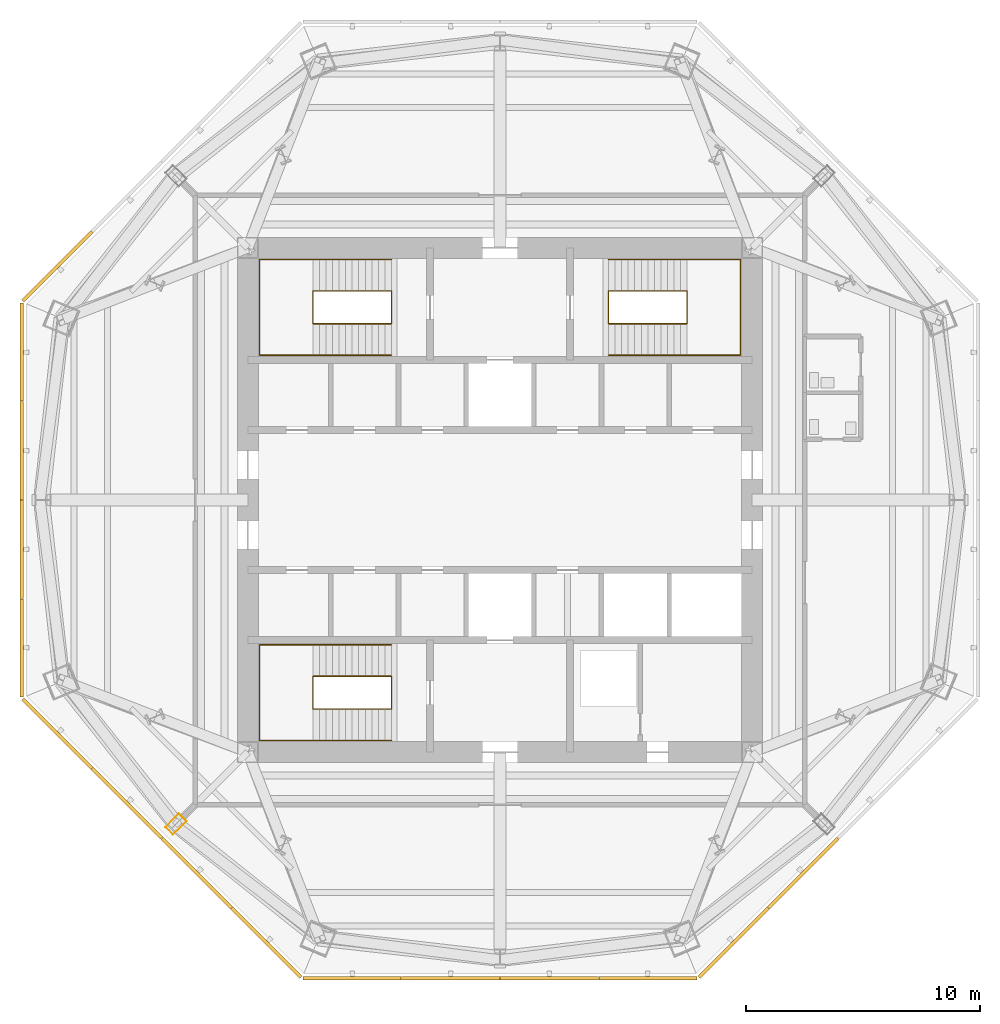
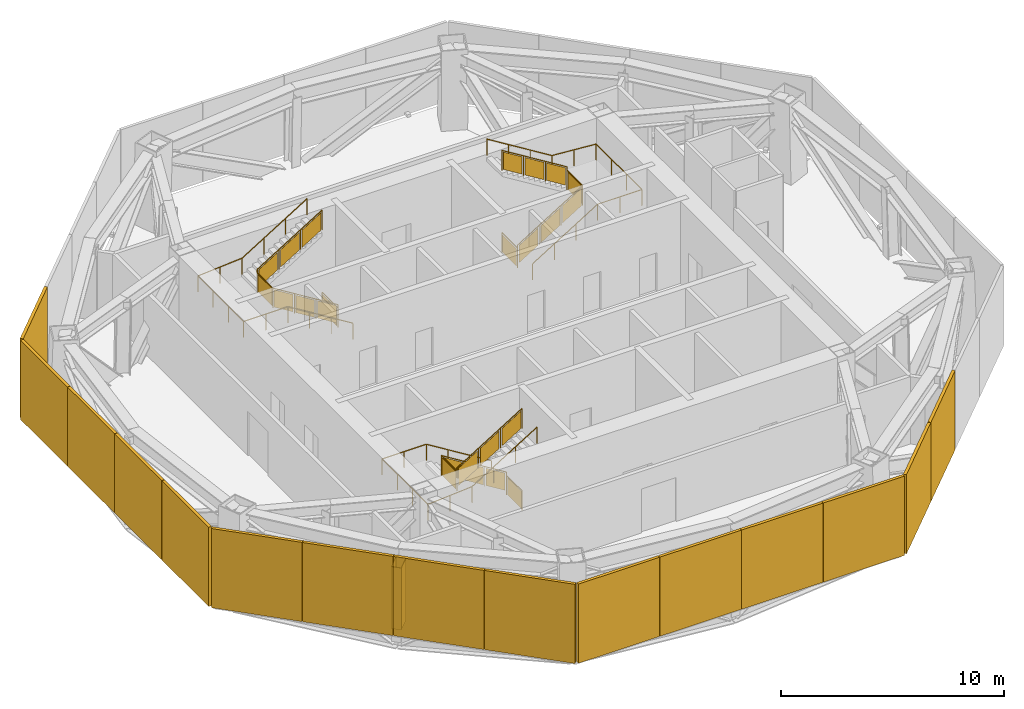
# One storey, part 7 of 9: 15 shading devices, 6 railings, 1 covering.
"""IFC4 building model written with IfcOpenShell, lengths in metres."""

import ifcopenshell
import ifcopenshell.guid

model = None  # the IFC model being written
_history = None  # IfcOwnerHistory: only IFC2X3 demands one
_inside = {}  # id of a spatial element -> (the spatial element, [elements in it])
_under = {}  # id of a project, library or spatial element -> (it, [spatial elements below it])
_declared = {}  # id of a project -> (the project, [libraries it declares])
_typed = {}  # id of a type object -> (the type object, [elements of that type])
_made_of = {}  # id of a material, layer set ... -> (it, [elements and type objects made of it])


def new_model(schema):
    """Start an empty IFC model of exactly this schema.

    Asked for "IFC4X3", IfcOpenShell would pick the latest addendum, in which some entities
    have other attributes; the version numbers below select the first issue.
    IFC2X3 requires an IfcOwnerHistory on every rooted entity: one is made here for all.
    """
    global model, _history
    if schema == "IFC4X3":
        model = ifcopenshell.file(schema_version=(4, 3, 0, 0))
    else:
        model = ifcopenshell.file(schema=schema)
    _inside.clear()
    _under.clear()
    _declared.clear()
    _typed.clear()
    _made_of.clear()
    _history = None
    if model.schema == "IFC2X3":
        org = make("IfcOrganization", Name="unknown")
        user = make(
            "IfcPersonAndOrganization",
            ThePerson=make("IfcPerson", FamilyName="unknown"),
            TheOrganization=org,
        )
        app = make(
            "IfcApplication",
            ApplicationDeveloper=org,
            Version="unknown",
            ApplicationFullName="unknown",
            ApplicationIdentifier="unknown",
        )
        _history = make(
            "IfcOwnerHistory",
            OwningUser=user,
            OwningApplication=app,
            ChangeAction="ADDED",
            CreationDate=0,
        )
    return model


def make(cls, **values):
    """One entity of the class cls with the attributes given. An attribute that is None is left unset."""
    return model.create_entity(
        cls, **{name: value for name, value in values.items() if value is not None}
    )


def rooted(cls, **values):
    """An entity with a GlobalId (a new one), such as an element, a storey or a relation."""
    return make(cls, GlobalId=ifcopenshell.guid.new(), OwnerHistory=_history, **values)


def si_unit(unit_type, name, prefix=None):
    """IfcSIUnit, for example si_unit("LENGTHUNIT", "METRE", prefix="MILLI")."""
    return make("IfcSIUnit", UnitType=unit_type, Prefix=prefix, Name=name)


def assignment(units):
    """IfcUnitAssignment: the units of a project."""
    return None if units is None else make("IfcUnitAssignment", Units=units)


def point(xyz):
    """IfcCartesianPoint."""
    return None if xyz is None else make("IfcCartesianPoint", Coordinates=xyz)


def direction(xyz):
    """IfcDirection."""
    return None if xyz is None else make("IfcDirection", DirectionRatios=xyz)


def frame(location, z_axis=None, x_axis=None):
    """IfcAxis2Placement3D, a coordinate frame: its origin and axes. An axis left out is left unset."""
    return make(
        "IfcAxis2Placement3D",
        Location=point(location),
        Axis=direction(z_axis),
        RefDirection=direction(x_axis),
    )


def frame_2d(location, x_axis=None):
    """IfcAxis2Placement2D, a coordinate frame in the plane: its origin and x axis."""
    return make(
        "IfcAxis2Placement2D", Location=point(location), RefDirection=direction(x_axis)
    )


def origin():
    """The frame at (0, 0, 0) with its axes left unset."""
    return frame((0.0, 0.0, 0.0))


def origin_2d():
    """The frame at (0, 0) in the plane with its x axis left unset."""
    return frame_2d((0.0, 0.0))


def place(relative_to, where):
    """IfcLocalPlacement: puts the frame where relative to a parent placement (None: the world)."""
    return make(
        "IfcLocalPlacement", PlacementRelTo=relative_to, RelativePlacement=where
    )


def context(
    kind, dimensions, precision=None, world=None, true_north=None, identifier=None
):
    """IfcGeometricRepresentationContext, for example the 3D "Model" context."""
    return make(
        "IfcGeometricRepresentationContext",
        ContextIdentifier=identifier,
        ContextType=kind,
        CoordinateSpaceDimension=dimensions,
        Precision=precision,
        WorldCoordinateSystem=world,
        TrueNorth=true_north,
    )


def subcontext(parent, identifier, kind, view, scale=None):
    """IfcGeometricRepresentationSubContext, for example "Body" below "Model"."""
    return make(
        "IfcGeometricRepresentationSubContext",
        ContextIdentifier=identifier,
        ContextType=kind,
        ParentContext=parent,
        TargetScale=scale,
        TargetView=view,
    )


def project(units=None, contexts=None):
    """IfcProject with its units and contexts."""
    return rooted(
        "IfcProject",
        Name="project",
        RepresentationContexts=contexts,
        UnitsInContext=assignment(units),
    )


def spatial(cls, under=None, at=None, **own):
    """A site, building, storey or space (cls), placed at a placement, below another one or the project."""
    s = rooted(cls, ObjectPlacement=at, **own)
    if under is not None:
        _under.setdefault(under.id(), (under, []))[1].append(s)
    return s


def polyline(points):
    """IfcPolyline through the points."""
    return make("IfcPolyline", Points=[point(p) for p in points])


def profile(cls, at=None, kind="AREA", **sizes):
    """A parametric profile (cls). Its sizes go by their IFC names, for example OverallWidth=200.0."""
    return make(cls, ProfileType=kind, Position=at, **sizes)


def rectangle(**sizes):
    """IfcRectangleProfileDef."""
    return profile("IfcRectangleProfileDef", **sizes)


def circle(**sizes):
    """IfcCircleProfileDef."""
    return profile("IfcCircleProfileDef", **sizes)


def outline(outer, holes=None, kind="AREA"):
    """IfcArbitraryClosedProfileDef: a profile drawn as a closed curve; with holes, ...WithVoids."""
    if holes is None:
        return make("IfcArbitraryClosedProfileDef", ProfileType=kind, OuterCurve=outer)
    return make(
        "IfcArbitraryProfileDefWithVoids",
        ProfileType=kind,
        OuterCurve=outer,
        InnerCurves=holes,
    )


def extrude(swept, where, along, depth):
    """IfcExtrudedAreaSolid: the profile swept, set in the frame where, extruded along a direction by depth."""
    return make(
        "IfcExtrudedAreaSolid",
        SweptArea=swept,
        Position=where,
        ExtrudedDirection=direction(along),
        Depth=depth,
    )


def shape(context_of_items, identifier, shape_type, items):
    """IfcShapeRepresentation: the items that make up one representation, for example the "Body"."""
    return make(
        "IfcShapeRepresentation",
        ContextOfItems=context_of_items,
        RepresentationIdentifier=identifier,
        RepresentationType=shape_type,
        Items=items,
    )


def source(mapping_origin, context_of_items, identifier, shape_type, items):
    """IfcRepresentationMap: a shape defined once, which mapped items show again and again."""
    return make(
        "IfcRepresentationMap",
        MappingOrigin=mapping_origin,
        MappedRepresentation=shape(context_of_items, identifier, shape_type, items),
    )


def transform(
    local_origin,
    x_axis=None,
    y_axis=None,
    z_axis=None,
    scale=None,
    scale2=None,
    scale3=None,
    uniform=True,
):
    """IfcCartesianTransformationOperator3D, or its non-uniform kind. x_axis, y_axis, z_axis: its Axis1, 2, 3."""
    if uniform:
        return make(
            "IfcCartesianTransformationOperator3D",
            Axis1=direction(x_axis),
            Axis2=direction(y_axis),
            LocalOrigin=point(local_origin),
            Scale=scale,
            Axis3=direction(z_axis),
        )
    return make(
        "IfcCartesianTransformationOperator3DnonUniform",
        Axis1=direction(x_axis),
        Axis2=direction(y_axis),
        LocalOrigin=point(local_origin),
        Scale=scale,
        Axis3=direction(z_axis),
        Scale2=scale2,
        Scale3=scale3,
    )


def mapped(mapping_source, mapping_target):
    """IfcMappedItem: shows the shape of a source again, moved by a transform."""
    return make(
        "IfcMappedItem", MappingSource=mapping_source, MappingTarget=mapping_target
    )


def material(Name=None, Category=None):
    """IfcMaterial."""
    return make("IfcMaterial", Name=Name, Category=Category)


def layer(
    of_material, thickness, ventilated=None, Name=None, Category=None, Priority=None
):
    """IfcMaterialLayer: one layer of a wall or slab, of a material (None: an air gap)."""
    return make(
        "IfcMaterialLayer",
        Material=of_material,
        LayerThickness=thickness,
        IsVentilated=ventilated,
        Name=Name,
        Category=Category,
        Priority=Priority,
    )


def layer_set(layers, Name=None):
    """IfcMaterialLayerSet."""
    return make("IfcMaterialLayerSet", MaterialLayers=layers, LayerSetName=Name)


def made_of(thing, what):
    """Note that an element or type object is made of a material, layer set ...; save() writes the relation."""
    if what is not None:
        _made_of.setdefault(what.id(), (what, []))[1].append(thing)
    return thing


def type_object(cls, material=None, **own):
    """A type object (cls), such as IfcWallType, which elements share."""
    return made_of(rooted(cls, **own), material)


def type_shapes(of_type, sources):
    """Give a type object the sources (RepresentationMaps) that its elements show as mapped items."""
    of_type.RepresentationMaps = sources


def element(
    cls,
    number,
    at=None,
    inside=None,
    cuts=None,
    type_object=None,
    material=None,
    context=None,
    identifier="Body",
    shape_type=None,
    held_by="IfcProductDefinitionShape",
    body=None,
    shapes=None,
    **own,
):
    """One element of the class cls, such as IfcWall. Its Tag is "e" and its number.

    at: its placement. inside: the storey or other place that contains it. cuts: it is an
    opening in that element (IfcRelVoidsElement). A single representation is given by context,
    identifier, shape_type and body (its items); several are given by shapes. held_by: the class
    of the entity that holds the representations. save() writes the other relations.
    """
    e = rooted(cls, Tag="e%d" % number, ObjectPlacement=at, **own)
    if body is not None:
        shapes = [shape(context, identifier, shape_type, body)]
    if shapes is not None:
        e.Representation = make(held_by, Representations=shapes)
    if inside is not None:
        _inside.setdefault(inside.id(), (inside, []))[1].append(e)
    if cuts is not None:
        rooted(
            "IfcRelVoidsElement", RelatingBuildingElement=cuts, RelatedOpeningElement=e
        )
    if type_object is not None:
        _typed.setdefault(type_object.id(), (type_object, []))[1].append(e)
    return made_of(e, material)


def aggregate(whole, parts):
    """IfcRelAggregates: a whole, such as a stair, and the parts it consists of."""
    return rooted("IfcRelAggregates", RelatingObject=whole, RelatedObjects=parts)


def save(model, path):
    """Write the relations noted so far, then the file.

    IfcRelAggregates (storeys below a building ...), IfcRelContainedInSpatialStructure (elements
    in a storey), IfcRelDefinesByType, IfcRelAssociatesMaterial and IfcRelDeclares: one each for
    every whole, place, type object, material and project.
    """
    for whole, parts in _under.values():
        aggregate(whole, parts)
    for where, things in _inside.values():
        rooted(
            "IfcRelContainedInSpatialStructure",
            RelatedElements=things,
            RelatingStructure=where,
        )
    for kind, things in _typed.values():
        rooted("IfcRelDefinesByType", RelatedObjects=things, RelatingType=kind)
    for what, things in _made_of.values():
        rooted("IfcRelAssociatesMaterial", RelatedObjects=things, RelatingMaterial=what)
    for by, libraries in _declared.values():
        rooted("IfcRelDeclares", RelatingContext=by, RelatedDefinitions=libraries)
    model.write(path)


model = new_model("IFC4")

# Units and contexts
model_context = context("Model", 3, precision=1e-05, world=origin(), true_north=direction((0.0, 1.0)))
body_context = subcontext(model_context, "Body", "Model", "MODEL_VIEW")
ifc_project = project(units=[si_unit("LENGTHUNIT", "METRE"), si_unit("AREAUNIT", "SQUARE_METRE"), si_unit("VOLUMEUNIT", "CUBIC_METRE"), si_unit("PLANEANGLEUNIT", "RADIAN"), si_unit("MASSUNIT", "GRAM", prefix="KILO")], contexts=[model_context])

# Site, building, storey
site_placement = place(None, origin())
site = spatial("IfcSite", under=ifc_project, at=site_placement, CompositionType="ELEMENT")
building_placement = place(site_placement, origin())
building = spatial("IfcBuilding", under=site, at=building_placement, Name="Mashrafa Tower", CompositionType="ELEMENT")
storey_placement = place(building_placement, frame((0.0, 0.0, 266.300048828125)))
storey = spatial("IfcBuildingStorey", under=building, at=storey_placement, Name="L64", CompositionType="ELEMENT", Elevation=266.300048828125)

# Covering
ifc_material_1 = material(Name="Gypsum board")
ifc_layer_1 = layer(ifc_material_1, 0.014892578125)
ifc_layer_set_1 = layer_set([ifc_layer_1], Name="Column casing plasterboard 15")
covering_type = type_object("IfcCoveringType", Name="Column casing plasterboard 15", PredefinedType="CLADDING", material=ifc_layer_set_1)
covering_placement = place(storey_placement, origin())
element("IfcCovering", 1, at=covering_placement, inside=storey, type_object=covering_type, Name="Column casing L64-003", PredefinedType="CLADDING", context=body_context, shape_type="SweptSolid", body=[
    extrude(outline(polyline([(-14.3447265625, -14.00537109375), (-13.75146484375, -13.412109375), (-13.412109375, -13.75146484375), (-14.00537109375, -14.3447265625), (-14.3447265625, -14.00537109375)]), holes=[polyline([(-13.43310546875, -13.75146484375), (-13.75146484375, -13.43310546875), (-14.323486328125, -14.00537109375), (-14.00537109375, -14.323486328125), (-13.43310546875, -13.75146484375)])]), origin(), (0.0, 0.0, 1.0), 3.389892578125),
])

# Railings
ifc_material_2 = material(Name="Steel guard with glass infill", Category="steel")
railing_type_1 = type_object("IfcRailingType", Name="Stair guard 1100", PredefinedType="GUARDRAIL", material=ifc_material_2)
railing_1_placement = place(storey_placement, frame((-4.64990234375, 8.949951171875, 0.0)))
element("IfcRailing", 2, at=railing_1_placement, inside=storey, type_object=railing_type_1, Name="Stair S1 guard L64", PredefinedType="GUARDRAIL", context=body_context, shape_type="SweptSolid", body=[
    extrude(circle(Radius=0.02392578125, at=origin_2d()), frame((0.0, 0.0, 1.076171875), z_axis=(0.0, -1.0, 0.0), x_axis=(1.0, 0.0, 0.0)), (0.0, 0.0, 1.0), 1.39990234375),
    extrude(circle(Radius=0.02392578125, at=origin_2d()), frame((0.0, -1.39990234375, 1.076171875), z_axis=(0.0, 0.0, 1.0), x_axis=(1.0, 0.0, 0.0)), (0.0, 0.0, 1.0), 0.173095703125),
    extrude(circle(Radius=0.02392578125, at=origin_2d()), frame((0.0, -1.39990234375, 1.2490234375), z_axis=(-0.850623216509, 0.0, 0.525775754039), x_axis=(0.0, -1.0, 0.0)), (0.0, 0.0, 1.0), 3.9501953125),
    extrude(circle(Radius=0.02392578125, at=origin_2d()), frame((-3.360107421875, -1.39990234375, 3.326171875), z_axis=(0.0, 1.0, 0.0), x_axis=(-1.0, 0.0, 0.0)), (0.0, 0.0, 1.0), 1.39990234375),
    extrude(circle(Radius=0.02392578125, at=origin_2d()), frame((-3.360107421875, 0.0, 3.326171875), z_axis=(0.0, 0.0, 1.0), x_axis=(1.0, 0.0, 0.0)), (0.0, 0.0, 1.0), 0.173095703125),
    extrude(circle(Radius=0.02392578125, at=origin_2d()), frame((-3.360107421875, 0.0, 3.4990234375), z_axis=(0.850623216509, 0.0, 0.525775754039), x_axis=(0.0, 1.0, 0.0)), (0.0, 0.0, 1.0), 3.9501953125),
    extrude(circle(Radius=0.02099609375, at=origin_2d()), origin(), (0.0, 0.0, 1.0), 1.052001953125),
    extrude(circle(Radius=0.02099609375, at=origin_2d()), frame((0.0, -1.39990234375, 0.0)), (0.0, 0.0, 1.0), 1.052001953125),
    extrude(circle(Radius=0.02099609375, at=origin_2d()), frame((0.0, -1.39990234375, 0.173095703125)), (0.0, 0.0, 1.0), 1.052001953125),
    extrude(circle(Radius=0.02099609375, at=origin_2d()), frame((-1.1201171875, -1.39990234375, 0.865478515625)), (0.0, 0.0, 1.0), 1.052001953125),
    extrude(circle(Radius=0.02099609375, at=origin_2d()), frame((-2.239990234375, -1.39990234375, 1.5576171875)), (0.0, 0.0, 1.0), 1.052001953125),
    extrude(circle(Radius=0.02099609375, at=origin_2d()), frame((-3.360107421875, -1.39990234375, 2.25)), (0.0, 0.0, 1.0), 1.052001953125),
    extrude(circle(Radius=0.02099609375, at=origin_2d()), frame((-3.360107421875, 0.0, 2.25)), (0.0, 0.0, 1.0), 1.052001953125),
    extrude(circle(Radius=0.02099609375, at=origin_2d()), frame((-3.360107421875, 0.0, 2.423095703125)), (0.0, 0.0, 1.0), 1.052001953125),
    extrude(circle(Radius=0.02099609375, at=origin_2d()), frame((-2.239990234375, 0.0, 3.115478515625)), (0.0, 0.0, 1.0), 1.052001953125),
    extrude(circle(Radius=0.02099609375, at=origin_2d()), frame((-1.1201171875, 0.0, 3.8076171875)), (0.0, 0.0, 1.0), 1.052001953125),
    extrude(circle(Radius=0.02099609375, at=origin_2d()), frame((0.0, 0.0, 4.5)), (0.0, 0.0, 1.0), 1.052001953125),
    extrude(outline(polyline([(0.071044921875, 0.050048828125), (1.328857421875, 0.050048828125), (1.328857421875, 1.001953125), (0.071044921875, 1.001953125), (0.071044921875, 0.050048828125)])), frame((-0.006103515625, 0.0, 0.0), z_axis=(-1.0, 0.0, 0.0), x_axis=(0.0, -1.0, 0.0)), (0.0, 0.0, 1.0), 0.011962890625),
    extrude(outline(polyline([(0.071044921875, 0.093994140625), (1.049072265625, 0.698486328125), (1.049072265625, 1.650390625), (0.071044921875, 1.0458984375), (0.071044921875, 0.093994140625)])), frame((0.0, -1.393798828125, 0.173095703125), z_axis=(0.0, 1.0, 0.0), x_axis=(-1.0, 0.0, 0.0)), (0.0, 0.0, 1.0), 0.011962890625),
    extrude(outline(polyline([(1.19091796875, 0.7861328125), (2.169189453125, 1.390625), (2.169189453125, 2.3427734375), (1.19091796875, 1.73828125), (1.19091796875, 0.7861328125)])), frame((0.0, -1.393798828125, 0.173095703125), z_axis=(0.0, 1.0, 0.0), x_axis=(-1.0, 0.0, 0.0)), (0.0, 0.0, 1.0), 0.011962890625),
    extrude(outline(polyline([(2.31103515625, 1.478515625), (3.2890625, 2.0830078125), (3.2890625, 3.034912109375), (2.31103515625, 2.430419921875), (2.31103515625, 1.478515625)])), frame((0.0, -1.393798828125, 0.173095703125), z_axis=(0.0, 1.0, 0.0), x_axis=(-1.0, 0.0, 0.0)), (0.0, 0.0, 1.0), 0.011962890625),
    extrude(outline(polyline([(0.071044921875, 0.050048828125), (1.328857421875, 0.050048828125), (1.328857421875, 1.001953125), (0.071044921875, 1.001953125), (0.071044921875, 0.050048828125)])), frame((-3.35400390625, -1.39990234375, 2.25), z_axis=(1.0, 0.0, 0.0), x_axis=(0.0, 1.0, 0.0)), (0.0, 0.0, 1.0), 0.011962890625),
    extrude(outline(polyline([(0.071044921875, 0.093994140625), (1.049072265625, 0.698486328125), (1.049072265625, 1.650390625), (0.071044921875, 1.0458984375), (0.071044921875, 0.093994140625)])), frame((-3.360107421875, -0.006103515625, 2.423095703125), z_axis=(0.0, -1.0, 0.0), x_axis=(1.0, 0.0, 0.0)), (0.0, 0.0, 1.0), 0.011962890625),
    extrude(outline(polyline([(1.19091796875, 0.7861328125), (2.169189453125, 1.390625), (2.169189453125, 2.3427734375), (1.19091796875, 1.73828125), (1.19091796875, 0.7861328125)])), frame((-3.360107421875, -0.006103515625, 2.423095703125), z_axis=(0.0, -1.0, 0.0), x_axis=(1.0, 0.0, 0.0)), (0.0, 0.0, 1.0), 0.011962890625),
    extrude(outline(polyline([(2.31103515625, 1.478515625), (3.2890625, 2.0830078125), (3.2890625, 3.034912109375), (2.31103515625, 2.430419921875), (2.31103515625, 1.478515625)])), frame((-3.360107421875, -0.006103515625, 2.423095703125), z_axis=(0.0, -1.0, 0.0), x_axis=(1.0, 0.0, 0.0)), (0.0, 0.0, 1.0), 0.011962890625),
])
railing_2_placement = place(storey_placement, frame((4.64990234375, 8.949951171875, 0.0)))
element("IfcRailing", 3, at=railing_2_placement, inside=storey, type_object=railing_type_1, Name="Stair S2 guard L64", PredefinedType="GUARDRAIL", context=body_context, shape_type="SweptSolid", body=[
    extrude(circle(Radius=0.02392578125, at=origin_2d()), frame((0.0, 0.0, 1.076171875), z_axis=(0.0, -1.0, 0.0), x_axis=(1.0, 0.0, 0.0)), (0.0, 0.0, 1.0), 1.39990234375),
    extrude(circle(Radius=0.02392578125, at=origin_2d()), frame((0.0, -1.39990234375, 1.076171875), z_axis=(0.0, 0.0, 1.0), x_axis=(1.0, 0.0, 0.0)), (0.0, 0.0, 1.0), 0.173095703125),
    extrude(circle(Radius=0.02392578125, at=origin_2d()), frame((0.0, -1.39990234375, 1.2490234375), z_axis=(0.850623216509, 0.0, 0.525775754039), x_axis=(0.0, 1.0, 0.0)), (0.0, 0.0, 1.0), 3.9501953125),
    extrude(circle(Radius=0.02392578125, at=origin_2d()), frame((3.360107421875, -1.39990234375, 3.326171875), z_axis=(0.0, 1.0, 0.0), x_axis=(-1.0, 0.0, 0.0)), (0.0, 0.0, 1.0), 1.39990234375),
    extrude(circle(Radius=0.02392578125, at=origin_2d()), frame((3.360107421875, 0.0, 3.326171875), z_axis=(0.0, 0.0, 1.0), x_axis=(1.0, 0.0, 0.0)), (0.0, 0.0, 1.0), 0.173095703125),
    extrude(circle(Radius=0.02392578125, at=origin_2d()), frame((3.360107421875, 0.0, 3.4990234375), z_axis=(-0.850623216509, 0.0, 0.525775754039), x_axis=(0.0, -1.0, 0.0)), (0.0, 0.0, 1.0), 3.9501953125),
    extrude(circle(Radius=0.02099609375, at=origin_2d()), origin(), (0.0, 0.0, 1.0), 1.052001953125),
    extrude(circle(Radius=0.02099609375, at=origin_2d()), frame((0.0, -1.39990234375, 0.0)), (0.0, 0.0, 1.0), 1.052001953125),
    extrude(circle(Radius=0.02099609375, at=origin_2d()), frame((0.0, -1.39990234375, 0.173095703125)), (0.0, 0.0, 1.0), 1.052001953125),
    extrude(circle(Radius=0.02099609375, at=origin_2d()), frame((1.1201171875, -1.39990234375, 0.865478515625)), (0.0, 0.0, 1.0), 1.052001953125),
    extrude(circle(Radius=0.02099609375, at=origin_2d()), frame((2.239990234375, -1.39990234375, 1.5576171875)), (0.0, 0.0, 1.0), 1.052001953125),
    extrude(circle(Radius=0.02099609375, at=origin_2d()), frame((3.360107421875, -1.39990234375, 2.25)), (0.0, 0.0, 1.0), 1.052001953125),
    extrude(circle(Radius=0.02099609375, at=origin_2d()), frame((3.360107421875, 0.0, 2.25)), (0.0, 0.0, 1.0), 1.052001953125),
    extrude(circle(Radius=0.02099609375, at=origin_2d()), frame((3.360107421875, 0.0, 2.423095703125)), (0.0, 0.0, 1.0), 1.052001953125),
    extrude(circle(Radius=0.02099609375, at=origin_2d()), frame((2.239990234375, 0.0, 3.115478515625)), (0.0, 0.0, 1.0), 1.052001953125),
    extrude(circle(Radius=0.02099609375, at=origin_2d()), frame((1.1201171875, 0.0, 3.8076171875)), (0.0, 0.0, 1.0), 1.052001953125),
    extrude(circle(Radius=0.02099609375, at=origin_2d()), frame((0.0, 0.0, 4.5)), (0.0, 0.0, 1.0), 1.052001953125),
    extrude(outline(polyline([(0.071044921875, 0.050048828125), (1.328857421875, 0.050048828125), (1.328857421875, 1.001953125), (0.071044921875, 1.001953125), (0.071044921875, 0.050048828125)])), frame((-0.006103515625, 0.0, 0.0), z_axis=(-1.0, 0.0, 0.0), x_axis=(0.0, -1.0, 0.0)), (0.0, 0.0, 1.0), 0.011962890625),
    extrude(outline(polyline([(0.071044921875, 0.093994140625), (1.049072265625, 0.698486328125), (1.049072265625, 1.650390625), (0.071044921875, 1.0458984375), (0.071044921875, 0.093994140625)])), frame((0.0, -1.406005859375, 0.173095703125), z_axis=(0.0, -1.0, 0.0), x_axis=(1.0, 0.0, 0.0)), (0.0, 0.0, 1.0), 0.011962890625),
    extrude(outline(polyline([(1.19091796875, 0.7861328125), (2.169189453125, 1.390625), (2.169189453125, 2.3427734375), (1.19091796875, 1.73828125), (1.19091796875, 0.7861328125)])), frame((0.0, -1.406005859375, 0.173095703125), z_axis=(0.0, -1.0, 0.0), x_axis=(1.0, 0.0, 0.0)), (0.0, 0.0, 1.0), 0.011962890625),
    extrude(outline(polyline([(2.31103515625, 1.478515625), (3.2890625, 2.0830078125), (3.2890625, 3.034912109375), (2.31103515625, 2.430419921875), (2.31103515625, 1.478515625)])), frame((0.0, -1.406005859375, 0.173095703125), z_axis=(0.0, -1.0, 0.0), x_axis=(1.0, 0.0, 0.0)), (0.0, 0.0, 1.0), 0.011962890625),
    extrude(outline(polyline([(0.071044921875, 0.050048828125), (1.328857421875, 0.050048828125), (1.328857421875, 1.001953125), (0.071044921875, 1.001953125), (0.071044921875, 0.050048828125)])), frame((3.3662109375, -1.39990234375, 2.25), z_axis=(1.0, 0.0, 0.0), x_axis=(0.0, 1.0, 0.0)), (0.0, 0.0, 1.0), 0.011962890625),
    extrude(outline(polyline([(0.071044921875, 0.093994140625), (1.049072265625, 0.698486328125), (1.049072265625, 1.650390625), (0.071044921875, 1.0458984375), (0.071044921875, 0.093994140625)])), frame((3.360107421875, 0.006103515625, 2.423095703125), z_axis=(0.0, 1.0, 0.0), x_axis=(-1.0, 0.0, 0.0)), (0.0, 0.0, 1.0), 0.011962890625),
    extrude(outline(polyline([(1.19091796875, 0.7861328125), (2.169189453125, 1.390625), (2.169189453125, 2.3427734375), (1.19091796875, 1.73828125), (1.19091796875, 0.7861328125)])), frame((3.360107421875, 0.006103515625, 2.423095703125), z_axis=(0.0, 1.0, 0.0), x_axis=(-1.0, 0.0, 0.0)), (0.0, 0.0, 1.0), 0.011962890625),
    extrude(outline(polyline([(2.31103515625, 1.478515625), (3.2890625, 2.0830078125), (3.2890625, 3.034912109375), (2.31103515625, 2.430419921875), (2.31103515625, 1.478515625)])), frame((3.360107421875, 0.006103515625, 2.423095703125), z_axis=(0.0, 1.0, 0.0), x_axis=(-1.0, 0.0, 0.0)), (0.0, 0.0, 1.0), 0.011962890625),
])
railing_3_placement = place(storey_placement, frame((-4.64990234375, -8.949951171875, 0.0)))
element("IfcRailing", 4, at=railing_3_placement, inside=storey, type_object=railing_type_1, Name="Stair S3 guard L64", PredefinedType="GUARDRAIL", context=body_context, shape_type="SweptSolid", body=[
    extrude(circle(Radius=0.02392578125, at=origin_2d()), frame((0.0, 0.0, 1.076171875), z_axis=(0.0, 1.0, 0.0), x_axis=(-1.0, 0.0, 0.0)), (0.0, 0.0, 1.0), 1.39990234375),
    extrude(circle(Radius=0.02392578125, at=origin_2d()), frame((0.0, 1.39990234375, 1.076171875), z_axis=(0.0, 0.0, 1.0), x_axis=(1.0, 0.0, 0.0)), (0.0, 0.0, 1.0), 0.173095703125),
    extrude(circle(Radius=0.02392578125, at=origin_2d()), frame((0.0, 1.39990234375, 1.2490234375), z_axis=(-0.850623216509, 0.0, 0.525775754039), x_axis=(0.0, -1.0, 0.0)), (0.0, 0.0, 1.0), 3.9501953125),
    extrude(circle(Radius=0.02392578125, at=origin_2d()), frame((-3.360107421875, 1.39990234375, 3.326171875), z_axis=(0.0, -1.0, 0.0), x_axis=(1.0, 0.0, 0.0)), (0.0, 0.0, 1.0), 1.39990234375),
    extrude(circle(Radius=0.02392578125, at=origin_2d()), frame((-3.360107421875, 0.0, 3.326171875), z_axis=(0.0, 0.0, 1.0), x_axis=(1.0, 0.0, 0.0)), (0.0, 0.0, 1.0), 0.173095703125),
    extrude(circle(Radius=0.02392578125, at=origin_2d()), frame((-3.360107421875, 0.0, 3.4990234375), z_axis=(0.850623216509, 0.0, 0.525775754039), x_axis=(0.0, 1.0, 0.0)), (0.0, 0.0, 1.0), 3.9501953125),
    extrude(circle(Radius=0.02099609375, at=origin_2d()), origin(), (0.0, 0.0, 1.0), 1.052001953125),
    extrude(circle(Radius=0.02099609375, at=origin_2d()), frame((0.0, 1.39990234375, 0.0)), (0.0, 0.0, 1.0), 1.052001953125),
    extrude(circle(Radius=0.02099609375, at=origin_2d()), frame((0.0, 1.39990234375, 0.173095703125)), (0.0, 0.0, 1.0), 1.052001953125),
    extrude(circle(Radius=0.02099609375, at=origin_2d()), frame((-1.1201171875, 1.39990234375, 0.865478515625)), (0.0, 0.0, 1.0), 1.052001953125),
    extrude(circle(Radius=0.02099609375, at=origin_2d()), frame((-2.239990234375, 1.39990234375, 1.5576171875)), (0.0, 0.0, 1.0), 1.052001953125),
    extrude(circle(Radius=0.02099609375, at=origin_2d()), frame((-3.360107421875, 1.39990234375, 2.25)), (0.0, 0.0, 1.0), 1.052001953125),
    extrude(circle(Radius=0.02099609375, at=origin_2d()), frame((-3.360107421875, 0.0, 2.25)), (0.0, 0.0, 1.0), 1.052001953125),
    extrude(circle(Radius=0.02099609375, at=origin_2d()), frame((-3.360107421875, 0.0, 2.423095703125)), (0.0, 0.0, 1.0), 1.052001953125),
    extrude(circle(Radius=0.02099609375, at=origin_2d()), frame((-2.239990234375, 0.0, 3.115478515625)), (0.0, 0.0, 1.0), 1.052001953125),
    extrude(circle(Radius=0.02099609375, at=origin_2d()), frame((-1.1201171875, 0.0, 3.8076171875)), (0.0, 0.0, 1.0), 1.052001953125),
    extrude(circle(Radius=0.02099609375, at=origin_2d()), frame((0.0, 0.0, 4.5)), (0.0, 0.0, 1.0), 1.052001953125),
    extrude(outline(polyline([(0.071044921875, 0.050048828125), (1.328857421875, 0.050048828125), (1.328857421875, 1.001953125), (0.071044921875, 1.001953125), (0.071044921875, 0.050048828125)])), frame((0.006103515625, 0.0, 0.0), z_axis=(1.0, 0.0, 0.0), x_axis=(0.0, 1.0, 0.0)), (0.0, 0.0, 1.0), 0.011962890625),
    extrude(outline(polyline([(0.071044921875, 0.093994140625), (1.049072265625, 0.698486328125), (1.049072265625, 1.650390625), (0.071044921875, 1.0458984375), (0.071044921875, 0.093994140625)])), frame((0.0, 1.406005859375, 0.173095703125), z_axis=(0.0, 1.0, 0.0), x_axis=(-1.0, 0.0, 0.0)), (0.0, 0.0, 1.0), 0.011962890625),
    extrude(outline(polyline([(1.19091796875, 0.7861328125), (2.169189453125, 1.390625), (2.169189453125, 2.3427734375), (1.19091796875, 1.73828125), (1.19091796875, 0.7861328125)])), frame((0.0, 1.406005859375, 0.173095703125), z_axis=(0.0, 1.0, 0.0), x_axis=(-1.0, 0.0, 0.0)), (0.0, 0.0, 1.0), 0.011962890625),
    extrude(outline(polyline([(2.31103515625, 1.478515625), (3.2890625, 2.0830078125), (3.2890625, 3.034912109375), (2.31103515625, 2.430419921875), (2.31103515625, 1.478515625)])), frame((0.0, 1.406005859375, 0.173095703125), z_axis=(0.0, 1.0, 0.0), x_axis=(-1.0, 0.0, 0.0)), (0.0, 0.0, 1.0), 0.011962890625),
    extrude(outline(polyline([(0.071044921875, 0.050048828125), (1.328857421875, 0.050048828125), (1.328857421875, 1.001953125), (0.071044921875, 1.001953125), (0.071044921875, 0.050048828125)])), frame((-3.3662109375, 1.39990234375, 2.25), z_axis=(-1.0, 0.0, 0.0), x_axis=(0.0, -1.0, 0.0)), (0.0, 0.0, 1.0), 0.011962890625),
    extrude(outline(polyline([(0.071044921875, 0.093994140625), (1.049072265625, 0.698486328125), (1.049072265625, 1.650390625), (0.071044921875, 1.0458984375), (0.071044921875, 0.093994140625)])), frame((-3.360107421875, -0.006103515625, 2.423095703125), z_axis=(0.0, -1.0, 0.0), x_axis=(1.0, 0.0, 0.0)), (0.0, 0.0, 1.0), 0.011962890625),
    extrude(outline(polyline([(1.19091796875, 0.7861328125), (2.169189453125, 1.390625), (2.169189453125, 2.3427734375), (1.19091796875, 1.73828125), (1.19091796875, 0.7861328125)])), frame((-3.360107421875, -0.006103515625, 2.423095703125), z_axis=(0.0, -1.0, 0.0), x_axis=(1.0, 0.0, 0.0)), (0.0, 0.0, 1.0), 0.011962890625),
    extrude(outline(polyline([(2.31103515625, 1.478515625), (3.2890625, 2.0830078125), (3.2890625, 3.034912109375), (2.31103515625, 2.430419921875), (2.31103515625, 1.478515625)])), frame((-3.360107421875, -0.006103515625, 2.423095703125), z_axis=(0.0, -1.0, 0.0), x_axis=(1.0, 0.0, 0.0)), (0.0, 0.0, 1.0), 0.011962890625),
])
ifc_material_3 = material(Name="Steel", Category="steel")
railing_type_2 = type_object("IfcRailingType", Name="Stair handrail 900", PredefinedType="HANDRAIL", material=ifc_material_3)
railing_4_placement = place(storey_placement, frame((-4.64990234375, 6.199951171875, 0.173095703125)))
element("IfcRailing", 5, at=railing_4_placement, inside=storey, type_object=railing_type_2, Name="Stair S1 handrail L64", PredefinedType="HANDRAIL", context=body_context, shape_type="SweptSolid", body=[
    extrude(circle(Radius=0.02392578125, at=origin_2d()), frame((0.0, 0.0, 0.8759765625), z_axis=(-0.850623216509, 0.0, 0.525775754039), x_axis=(0.0, -1.0, 0.0)), (0.0, 0.0, 1.0), 3.9501953125),
    extrude(circle(Radius=0.02392578125, at=origin_2d()), frame((-3.360107421875, 0.0, 2.95263671875), z_axis=(-1.0, 0.0, 0.0), x_axis=(0.0, -1.0, 0.0)), (0.0, 0.0, 1.0), 2.2900390625),
    extrude(circle(Radius=0.02392578125, at=origin_2d()), frame((-5.650146484375, 0.0, 2.95263671875), z_axis=(0.0, 1.0, 0.0), x_axis=(-1.0, 0.0, 0.0)), (0.0, 0.0, 1.0), 4.10009765625),
    extrude(circle(Radius=0.02392578125, at=origin_2d()), frame((-5.650146484375, 4.10009765625, 2.95263671875), z_axis=(0.99715553422, 0.0, 0.075371351147), x_axis=(0.0, 1.0, 0.0)), (0.0, 0.0, 1.0), 2.296630859375),
    extrude(circle(Radius=0.02392578125, at=origin_2d()), frame((-3.360107421875, 4.10009765625, 3.1259765625), z_axis=(0.850623216509, 0.0, 0.525775754039), x_axis=(0.0, 1.0, 0.0)), (0.0, 0.0, 1.0), 3.9501953125),
    extrude(circle(Radius=0.02099609375, at=origin_2d()), origin(), (0.0, 0.0, 1.0), 0.851806640625),
    extrude(circle(Radius=0.02099609375, at=origin_2d()), frame((-1.1201171875, 0.0, 0.6923828125)), (0.0, 0.0, 1.0), 0.851806640625),
    extrude(circle(Radius=0.02099609375, at=origin_2d()), frame((-2.239990234375, 0.0, 1.384521484375)), (0.0, 0.0, 1.0), 0.851806640625),
    extrude(circle(Radius=0.02099609375, at=origin_2d()), frame((-3.360107421875, 0.0, 2.076904296875)), (0.0, 0.0, 1.0), 0.851806640625),
    extrude(circle(Radius=0.02099609375, at=origin_2d()), frame((-4.505126953125, 0.0, 2.076904296875)), (0.0, 0.0, 1.0), 0.851806640625),
    extrude(circle(Radius=0.02099609375, at=origin_2d()), frame((-5.650146484375, 0.0, 2.076904296875)), (0.0, 0.0, 1.0), 0.851806640625),
    extrude(circle(Radius=0.02099609375, at=origin_2d()), frame((-5.650146484375, 1.36669921875, 2.076904296875)), (0.0, 0.0, 1.0), 0.851806640625),
    extrude(circle(Radius=0.02099609375, at=origin_2d()), frame((-5.650146484375, 2.7333984375, 2.076904296875)), (0.0, 0.0, 1.0), 0.851806640625),
    extrude(circle(Radius=0.02099609375, at=origin_2d()), frame((-5.650146484375, 4.10009765625, 2.076904296875)), (0.0, 0.0, 1.0), 0.851806640625),
    extrude(circle(Radius=0.02099609375, at=origin_2d()), frame((-4.505126953125, 4.10009765625, 2.16357421875)), (0.0, 0.0, 1.0), 0.851806640625),
    extrude(circle(Radius=0.02099609375, at=origin_2d()), frame((-3.360107421875, 4.10009765625, 2.25)), (0.0, 0.0, 1.0), 0.851806640625),
    extrude(circle(Radius=0.02099609375, at=origin_2d()), frame((-2.239990234375, 4.10009765625, 2.9423828125)), (0.0, 0.0, 1.0), 0.851806640625),
    extrude(circle(Radius=0.02099609375, at=origin_2d()), frame((-1.1201171875, 4.10009765625, 3.634521484375)), (0.0, 0.0, 1.0), 0.851806640625),
    extrude(circle(Radius=0.02099609375, at=origin_2d()), frame((0.0, 4.10009765625, 4.326904296875)), (0.0, 0.0, 1.0), 0.851806640625),
])
railing_5_placement = place(storey_placement, frame((4.64990234375, 6.199951171875, 0.173095703125)))
element("IfcRailing", 6, at=railing_5_placement, inside=storey, type_object=railing_type_2, Name="Stair S2 handrail L64", PredefinedType="HANDRAIL", context=body_context, shape_type="SweptSolid", body=[
    extrude(circle(Radius=0.02392578125, at=origin_2d()), frame((0.0, 0.0, 0.8759765625), z_axis=(0.850623216509, 0.0, 0.525775754039), x_axis=(0.0, 1.0, 0.0)), (0.0, 0.0, 1.0), 3.9501953125),
    extrude(circle(Radius=0.02392578125, at=origin_2d()), frame((3.360107421875, 0.0, 2.95263671875), z_axis=(1.0, 0.0, 0.0), x_axis=(0.0, 1.0, 0.0)), (0.0, 0.0, 1.0), 2.2900390625),
    extrude(circle(Radius=0.02392578125, at=origin_2d()), frame((5.650146484375, 0.0, 2.95263671875), z_axis=(0.0, 1.0, 0.0), x_axis=(-1.0, 0.0, 0.0)), (0.0, 0.0, 1.0), 4.10009765625),
    extrude(circle(Radius=0.02392578125, at=origin_2d()), frame((5.650146484375, 4.10009765625, 2.95263671875), z_axis=(-0.99715553422, 0.0, 0.075371351147), x_axis=(0.0, -1.0, 0.0)), (0.0, 0.0, 1.0), 2.296630859375),
    extrude(circle(Radius=0.02392578125, at=origin_2d()), frame((3.360107421875, 4.10009765625, 3.1259765625), z_axis=(-0.850623216509, 0.0, 0.525775754039), x_axis=(0.0, -1.0, 0.0)), (0.0, 0.0, 1.0), 3.9501953125),
    extrude(circle(Radius=0.02099609375, at=origin_2d()), origin(), (0.0, 0.0, 1.0), 0.851806640625),
    extrude(circle(Radius=0.02099609375, at=origin_2d()), frame((1.1201171875, 0.0, 0.6923828125)), (0.0, 0.0, 1.0), 0.851806640625),
    extrude(circle(Radius=0.02099609375, at=origin_2d()), frame((2.239990234375, 0.0, 1.384521484375)), (0.0, 0.0, 1.0), 0.851806640625),
    extrude(circle(Radius=0.02099609375, at=origin_2d()), frame((3.360107421875, 0.0, 2.076904296875)), (0.0, 0.0, 1.0), 0.851806640625),
    extrude(circle(Radius=0.02099609375, at=origin_2d()), frame((4.505126953125, 0.0, 2.076904296875)), (0.0, 0.0, 1.0), 0.851806640625),
    extrude(circle(Radius=0.02099609375, at=origin_2d()), frame((5.650146484375, 0.0, 2.076904296875)), (0.0, 0.0, 1.0), 0.851806640625),
    extrude(circle(Radius=0.02099609375, at=origin_2d()), frame((5.650146484375, 1.36669921875, 2.076904296875)), (0.0, 0.0, 1.0), 0.851806640625),
    extrude(circle(Radius=0.02099609375, at=origin_2d()), frame((5.650146484375, 2.7333984375, 2.076904296875)), (0.0, 0.0, 1.0), 0.851806640625),
    extrude(circle(Radius=0.02099609375, at=origin_2d()), frame((5.650146484375, 4.10009765625, 2.076904296875)), (0.0, 0.0, 1.0), 0.851806640625),
    extrude(circle(Radius=0.02099609375, at=origin_2d()), frame((4.505126953125, 4.10009765625, 2.16357421875)), (0.0, 0.0, 1.0), 0.851806640625),
    extrude(circle(Radius=0.02099609375, at=origin_2d()), frame((3.360107421875, 4.10009765625, 2.25)), (0.0, 0.0, 1.0), 0.851806640625),
    extrude(circle(Radius=0.02099609375, at=origin_2d()), frame((2.239990234375, 4.10009765625, 2.9423828125)), (0.0, 0.0, 1.0), 0.851806640625),
    extrude(circle(Radius=0.02099609375, at=origin_2d()), frame((1.1201171875, 4.10009765625, 3.634521484375)), (0.0, 0.0, 1.0), 0.851806640625),
    extrude(circle(Radius=0.02099609375, at=origin_2d()), frame((0.0, 4.10009765625, 4.326904296875)), (0.0, 0.0, 1.0), 0.851806640625),
])
railing_6_placement = place(storey_placement, frame((-4.64990234375, -6.199951171875, 0.173095703125)))
element("IfcRailing", 7, at=railing_6_placement, inside=storey, type_object=railing_type_2, Name="Stair S3 handrail L64", PredefinedType="HANDRAIL", context=body_context, shape_type="SweptSolid", body=[
    extrude(circle(Radius=0.02392578125, at=origin_2d()), frame((0.0, 0.0, 0.8759765625), z_axis=(-0.850623216509, 0.0, 0.525775754039), x_axis=(0.0, -1.0, 0.0)), (0.0, 0.0, 1.0), 3.9501953125),
    extrude(circle(Radius=0.02392578125, at=origin_2d()), frame((-3.360107421875, 0.0, 2.95263671875), z_axis=(-1.0, 0.0, 0.0), x_axis=(0.0, -1.0, 0.0)), (0.0, 0.0, 1.0), 2.2900390625),
    extrude(circle(Radius=0.02392578125, at=origin_2d()), frame((-5.650146484375, 0.0, 2.95263671875), z_axis=(0.0, -1.0, 0.0), x_axis=(1.0, 0.0, 0.0)), (0.0, 0.0, 1.0), 4.10009765625),
    extrude(circle(Radius=0.02392578125, at=origin_2d()), frame((-5.650146484375, -4.10009765625, 2.95263671875), z_axis=(0.99715553422, 0.0, 0.075371351147), x_axis=(0.0, 1.0, 0.0)), (0.0, 0.0, 1.0), 2.296630859375),
    extrude(circle(Radius=0.02392578125, at=origin_2d()), frame((-3.360107421875, -4.10009765625, 3.1259765625), z_axis=(0.850623216509, 0.0, 0.525775754039), x_axis=(0.0, 1.0, 0.0)), (0.0, 0.0, 1.0), 3.9501953125),
    extrude(circle(Radius=0.02099609375, at=origin_2d()), origin(), (0.0, 0.0, 1.0), 0.851806640625),
    extrude(circle(Radius=0.02099609375, at=origin_2d()), frame((-1.1201171875, 0.0, 0.6923828125)), (0.0, 0.0, 1.0), 0.851806640625),
    extrude(circle(Radius=0.02099609375, at=origin_2d()), frame((-2.239990234375, 0.0, 1.384521484375)), (0.0, 0.0, 1.0), 0.851806640625),
    extrude(circle(Radius=0.02099609375, at=origin_2d()), frame((-3.360107421875, 0.0, 2.076904296875)), (0.0, 0.0, 1.0), 0.851806640625),
    extrude(circle(Radius=0.02099609375, at=origin_2d()), frame((-4.505126953125, 0.0, 2.076904296875)), (0.0, 0.0, 1.0), 0.851806640625),
    extrude(circle(Radius=0.02099609375, at=origin_2d()), frame((-5.650146484375, 0.0, 2.076904296875)), (0.0, 0.0, 1.0), 0.851806640625),
    extrude(circle(Radius=0.02099609375, at=origin_2d()), frame((-5.650146484375, -1.36669921875, 2.076904296875)), (0.0, 0.0, 1.0), 0.851806640625),
    extrude(circle(Radius=0.02099609375, at=origin_2d()), frame((-5.650146484375, -2.7333984375, 2.076904296875)), (0.0, 0.0, 1.0), 0.851806640625),
    extrude(circle(Radius=0.02099609375, at=origin_2d()), frame((-5.650146484375, -4.10009765625, 2.076904296875)), (0.0, 0.0, 1.0), 0.851806640625),
    extrude(circle(Radius=0.02099609375, at=origin_2d()), frame((-4.505126953125, -4.10009765625, 2.16357421875)), (0.0, 0.0, 1.0), 0.851806640625),
    extrude(circle(Radius=0.02099609375, at=origin_2d()), frame((-3.360107421875, -4.10009765625, 2.25)), (0.0, 0.0, 1.0), 0.851806640625),
    extrude(circle(Radius=0.02099609375, at=origin_2d()), frame((-2.239990234375, -4.10009765625, 2.9423828125)), (0.0, 0.0, 1.0), 0.851806640625),
    extrude(circle(Radius=0.02099609375, at=origin_2d()), frame((-1.1201171875, -4.10009765625, 3.634521484375)), (0.0, 0.0, 1.0), 0.851806640625),
    extrude(circle(Radius=0.02099609375, at=origin_2d()), frame((0.0, -4.10009765625, 4.326904296875)), (0.0, 0.0, 1.0), 0.851806640625),
])

# Shading devices
ifc_material_4 = material(Name="Extruded aluminium weather louvre", Category="aluminium")
ifc_layer_2 = layer(ifc_material_4, 0.14990234375)
ifc_layer_set_2 = layer_set([ifc_layer_2], Name="Plant louvre screen 150")
shading_device_type = type_object("IfcShadingDeviceType", Name="Plant louvre screen 150", PredefinedType="SHUTTER", material=ifc_layer_set_2)
shared_shape = source(origin(), body_context, "Body", "SweptSolid", [
    extrude(rectangle(XDim=4.201416015625, YDim=0.14990234375, at=origin_2d()), origin(), (0.0, 0.0, 1.0), 4.330078125),
])
type_shapes(shading_device_type, [shared_shape])
for number, where, z_axis, x_axis, name in (
    (8, (-18.9599609375, 10.005126953125, 0.0), (0.0, 0.0, 1.0), (-0.707106781187, -0.707106781187, 0.0), "Plant louvre screen L64 north-west 4"),
    (9, (-20.4814453125, 6.33203125, 0.0), (0.0, 0.0, 1.0), (0.0, -1.0, 0.0), "Plant louvre screen L64 west 1"),
    (10, (-20.4814453125, 2.110595703125, 0.0), (0.0, 0.0, 1.0), (0.0, -1.0, 0.0), "Plant louvre screen L64 west 2"),
    (11, (-20.4814453125, -2.110595703125, 0.0), (0.0, 0.0, 1.0), (0.0, -1.0, 0.0), "Plant louvre screen L64 west 3"),
    (12, (-20.4814453125, -6.33203125, 0.0), (0.0, 0.0, 1.0), (0.0, -1.0, 0.0), "Plant louvre screen L64 west 4"),
    (13, (-18.9599609375, -10.005126953125, 0.0), (0.0, 0.0, 1.0), (0.707106781187, -0.707106781187, 0.0), "Plant louvre screen L64 south-west 1"),
    (14, (-15.97509765625, -12.990234375, 0.0), (0.0, 0.0, 1.0), (0.707106781187, -0.707106781187, 0.0), "Plant louvre screen L64 south-west 2"),
    (15, (-12.990234375, -15.97509765625, 0.0), (0.0, 0.0, 1.0), (0.707106781187, -0.707106781187, 0.0), "Plant louvre screen L64 south-west 3"),
    (16, (-10.005126953125, -18.9599609375, 0.0), (0.0, 0.0, 1.0), (0.707106781187, -0.707106781187, 0.0), "Plant louvre screen L64 south-west 4"),
    (17, (-6.33203125, -20.4814453125, 0.0), (0.0, 0.0, 1.0), (1.0, 0.0, 0.0), "Plant louvre screen L64 south 1"),
    (18, (-2.110595703125, -20.4814453125, 0.0), (0.0, 0.0, 1.0), (1.0, 0.0, 0.0), "Plant louvre screen L64 south 2"),
    (19, (2.110595703125, -20.4814453125, 0.0), (0.0, 0.0, 1.0), (1.0, 0.0, 0.0), "Plant louvre screen L64 south 3"),
    (20, (6.33203125, -20.4814453125, 0.0), (0.0, 0.0, 1.0), (1.0, 0.0, 0.0), "Plant louvre screen L64 south 4"),
    (21, (10.005126953125, -18.9599609375, 0.0), (0.0, 0.0, 1.0), (0.707106781187, 0.707106781187, 0.0), "Plant louvre screen L64 south-east 1"),
    (22, (12.990234375, -15.97509765625, 0.0), (0.0, 0.0, 1.0), (0.707106781187, 0.707106781187, 0.0), "Plant louvre screen L64 south-east 2"),
):
    element("IfcShadingDevice", number, at=place(storey_placement, frame(where, z_axis=z_axis, x_axis=x_axis)), inside=storey, type_object=shading_device_type, Name=name, PredefinedType="SHUTTER", context=body_context, shape_type="MappedRepresentation", body=[
        mapped(shared_shape, transform((0.0, 0.0, 0.0))),
    ])

save(model, "model.ifc")
